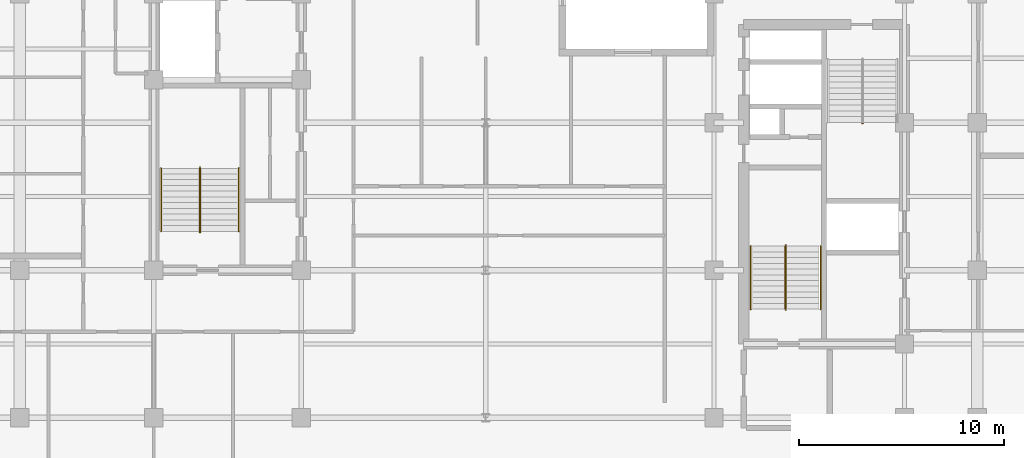
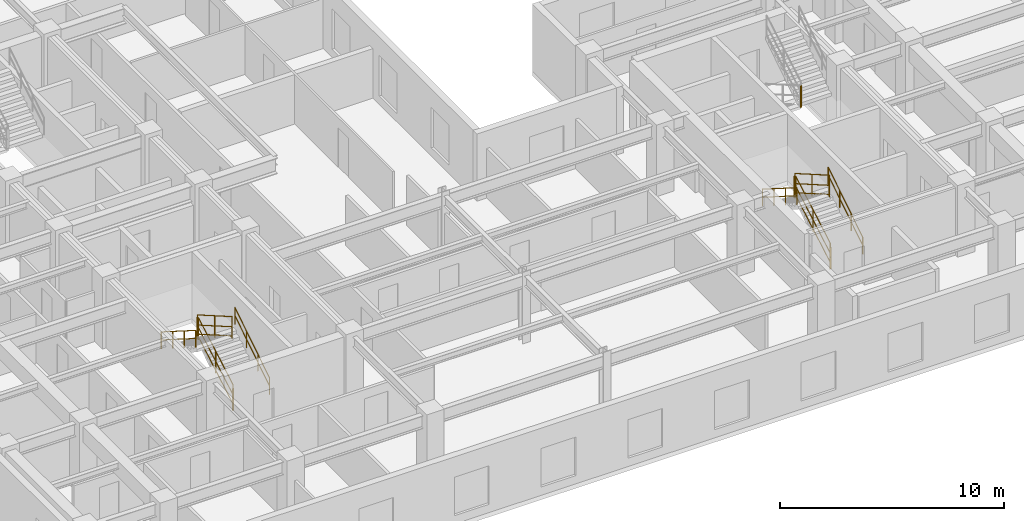
# One storey, part 9 of 11: 13 railings.
"""IFC4 building model written with IfcOpenShell, lengths in metres."""

from ifc_helpers import new_model, entity, si_unit, converted_unit, direction, frame, origin_with_axes, origin_2d_with_axis, place, context, subcontext, project, spatial, rectangle, circle, extrude, material, type_object, element, save


model = new_model("IFC4")

# Units and contexts
model_context = context("Model", 3, precision=1e-05, world=origin_with_axes(), true_north=direction((0.0, 1.0)))
body_context = subcontext(model_context, "Body", "Model", "MODEL_VIEW")
ifc_project = project(units=[si_unit("LENGTHUNIT", "METRE"), si_unit("AREAUNIT", "SQUARE_METRE"), si_unit("VOLUMEUNIT", "CUBIC_METRE"), converted_unit("PLANEANGLEUNIT", "DEGREE", entity("IfcPlaneAngleMeasure", 0.017453292519943295), si_unit("PLANEANGLEUNIT", "RADIAN"), dimensions=[0, 0, 0, 0, 0, 0, 0]), si_unit("MASSUNIT", "GRAM", prefix="KILO"), si_unit("THERMODYNAMICTEMPERATUREUNIT", "KELVIN")], contexts=[model_context])

# Site, building, storey
site_placement = place(None, origin_with_axes())
site = spatial("IfcSite", under=ifc_project, at=site_placement, CompositionType="ELEMENT")
building_placement = place(site_placement, origin_with_axes())
building = spatial("IfcBuilding", under=site, at=building_placement, Name="Varnlund Millrace Tower", CompositionType="ELEMENT")
storey_placement = place(building_placement, frame((0.0, 0.0, 212.1), z_axis=(0.0, 0.0, 1.0), x_axis=(1.0, 0.0, 0.0)))
storey = spatial("IfcBuildingStorey", under=building, at=storey_placement, Name="L52", CompositionType="ELEMENT", Elevation=212.1)

# Railings
ifc_material_1 = material(Name="Painted steel stair well balustrade guard", Category="steel")
railing_type_1 = type_object("IfcRailingType", Name="Type-StairGuard-1150", PredefinedType="GUARDRAIL", material=ifc_material_1)
railing_1_placement = place(storey_placement, frame((0.0, 0.0, -212.1), z_axis=(0.0, 0.0, 1.0), x_axis=(1.0, 0.0, 0.0)))
element("IfcRailing", 1, at=railing_1_placement, inside=storey, type_object=railing_type_1, Name="Type-StairGuard-1150", PredefinedType="GUARDRAIL", context=body_context, shape_type="SweptSolid", body=[
    extrude(circle(Radius=0.024, at=origin_2d_with_axis()), frame((13.675, 12.7, 213.427273), z_axis=(0.0, 0.866696, 0.498836), x_axis=(-1.0, 0.0, 0.0)), (0.0, 0.0, 1.0), 3.553725),
    extrude(circle(Radius=0.024, at=origin_2d_with_axis()), frame((13.675, 12.7, 212.377273), z_axis=(0.0, 0.866696, 0.498836), x_axis=(-1.0, 0.0, 0.0)), (0.0, 0.0, 1.0), 3.553725),
    extrude(circle(Radius=0.024, at=origin_2d_with_axis()), frame((13.675, 12.7, 212.875273), z_axis=(0.0, 0.866696, 0.498836), x_axis=(-1.0, 0.0, 0.0)), (0.0, 0.0, 1.0), 3.553725),
    extrude(rectangle(XDim=0.04, YDim=0.04, at=origin_2d_with_axis()), frame((13.675, 12.7, 212.237273), z_axis=(0.0, 0.0, 1.0), x_axis=(1.0, 0.0, 0.0)), (0.0, 0.0, 1.0), 1.19),
    extrude(rectangle(XDim=0.04, YDim=0.04, at=origin_2d_with_axis()), frame((13.675, 14.24, 213.123636), z_axis=(0.0, 0.0, 1.0), x_axis=(1.0, 0.0, 0.0)), (0.0, 0.0, 1.0), 1.19),
    extrude(rectangle(XDim=0.04, YDim=0.04, at=origin_2d_with_axis()), frame((13.675, 15.78, 214.01), z_axis=(0.0, 0.0, 1.0), x_axis=(1.0, 0.0, 0.0)), (0.0, 0.0, 1.0), 1.19),
])
railing_2_placement = place(storey_placement, frame((0.0, 0.0, -212.1), z_axis=(0.0, 0.0, 1.0), x_axis=(1.0, 0.0, 0.0)))
element("IfcRailing", 2, at=railing_2_placement, inside=storey, type_object=railing_type_1, Name="Type-StairGuard-1150", PredefinedType="GUARDRAIL", context=body_context, shape_type="SweptSolid", body=[
    extrude(circle(Radius=0.024, at=origin_2d_with_axis()), frame((13.625, 15.83, 215.2), z_axis=(1.0, 0.0, 0.0), x_axis=(0.0, 1.0, 0.0)), (0.0, 0.0, 1.0), 0.05),
    extrude(circle(Radius=0.024, at=origin_2d_with_axis()), frame((13.625, 15.83, 214.15), z_axis=(1.0, 0.0, 0.0), x_axis=(0.0, 1.0, 0.0)), (0.0, 0.0, 1.0), 0.05),
    extrude(circle(Radius=0.024, at=origin_2d_with_axis()), frame((13.625, 15.83, 214.648), z_axis=(1.0, 0.0, 0.0), x_axis=(0.0, 1.0, 0.0)), (0.0, 0.0, 1.0), 0.05),
    extrude(rectangle(XDim=0.04, YDim=0.04, at=origin_2d_with_axis()), frame((13.625, 15.83, 214.01), z_axis=(0.0, 0.0, 1.0), x_axis=(1.0, 0.0, 0.0)), (0.0, 0.0, 1.0), 1.19),
    extrude(rectangle(XDim=0.04, YDim=0.04, at=origin_2d_with_axis()), frame((13.675, 15.83, 214.01), z_axis=(0.0, 0.0, 1.0), x_axis=(1.0, 0.0, 0.0)), (0.0, 0.0, 1.0), 1.19),
])
railing_3_placement = place(storey_placement, frame((0.0, 0.0, -212.1), z_axis=(0.0, 0.0, 1.0), x_axis=(1.0, 0.0, 0.0)))
element("IfcRailing", 3, at=railing_3_placement, inside=storey, type_object=railing_type_1, Name="Type-StairGuard-1150", PredefinedType="GUARDRAIL", context=body_context, shape_type="SweptSolid", body=[
    extrude(circle(Radius=0.024, at=origin_2d_with_axis()), frame((13.625, 15.78, 215.377273), z_axis=(0.0, -0.866696, 0.498836), x_axis=(1.0, 0.0, 0.0)), (0.0, 0.0, 1.0), 3.553725),
    extrude(circle(Radius=0.024, at=origin_2d_with_axis()), frame((13.625, 15.78, 214.327273), z_axis=(0.0, -0.866696, 0.498836), x_axis=(1.0, 0.0, 0.0)), (0.0, 0.0, 1.0), 3.553725),
    extrude(circle(Radius=0.024, at=origin_2d_with_axis()), frame((13.625, 15.78, 214.825273), z_axis=(0.0, -0.866696, 0.498836), x_axis=(1.0, 0.0, 0.0)), (0.0, 0.0, 1.0), 3.553725),
    extrude(rectangle(XDim=0.04, YDim=0.04, at=origin_2d_with_axis()), frame((13.625, 15.78, 214.187273), z_axis=(0.0, 0.0, 1.0), x_axis=(1.0, 0.0, 0.0)), (0.0, 0.0, 1.0), 1.19),
    extrude(rectangle(XDim=0.04, YDim=0.04, at=origin_2d_with_axis()), frame((13.625, 14.24, 215.073636), z_axis=(0.0, 0.0, 1.0), x_axis=(1.0, 0.0, 0.0)), (0.0, 0.0, 1.0), 1.19),
    extrude(rectangle(XDim=0.04, YDim=0.04, at=origin_2d_with_axis()), frame((13.625, 12.7, 215.96), z_axis=(0.0, 0.0, 1.0), x_axis=(1.0, 0.0, 0.0)), (0.0, 0.0, 1.0), 1.19),
])
railing_4_placement = place(storey_placement, frame((0.0, 0.0, -212.1), z_axis=(0.0, 0.0, 1.0), x_axis=(1.0, 0.0, 0.0)))
element("IfcRailing", 4, at=railing_4_placement, inside=storey, type_object=railing_type_1, Name="Type-StairGuard-1150", PredefinedType="GUARDRAIL", context=body_context, shape_type="SweptSolid", body=[
    extrude(circle(Radius=0.024, at=origin_2d_with_axis()), frame((13.625, 12.65, 213.25), z_axis=(1.0, 0.0, 0.0), x_axis=(0.0, 1.0, 0.0)), (0.0, 0.0, 1.0), 0.05),
    extrude(circle(Radius=0.024, at=origin_2d_with_axis()), frame((13.625, 12.65, 212.2), z_axis=(1.0, 0.0, 0.0), x_axis=(0.0, 1.0, 0.0)), (0.0, 0.0, 1.0), 0.05),
    extrude(circle(Radius=0.024, at=origin_2d_with_axis()), frame((13.625, 12.65, 212.698), z_axis=(1.0, 0.0, 0.0), x_axis=(0.0, 1.0, 0.0)), (0.0, 0.0, 1.0), 0.05),
    extrude(rectangle(XDim=0.04, YDim=0.04, at=origin_2d_with_axis()), frame((13.625, 12.65, 212.06), z_axis=(0.0, 0.0, 1.0), x_axis=(1.0, 0.0, 0.0)), (0.0, 0.0, 1.0), 1.19),
    extrude(rectangle(XDim=0.04, YDim=0.04, at=origin_2d_with_axis()), frame((13.675, 12.65, 212.06), z_axis=(0.0, 0.0, 1.0), x_axis=(1.0, 0.0, 0.0)), (0.0, 0.0, 1.0), 1.19),
])
railing_5_placement = place(storey_placement, frame((0.0, 0.0, -212.1), z_axis=(0.0, 0.0, 1.0), x_axis=(1.0, 0.0, 0.0)))
element("IfcRailing", 5, at=railing_5_placement, inside=storey, type_object=railing_type_1, Name="Type-StairGuard-1150", PredefinedType="GUARDRAIL", context=body_context, shape_type="SweptSolid", body=[
    extrude(circle(Radius=0.024, at=origin_2d_with_axis()), frame((42.275, 8.9, 213.427273), z_axis=(0.0, 0.866696, 0.498836), x_axis=(-1.0, 0.0, 0.0)), (0.0, 0.0, 1.0), 3.553725),
    extrude(circle(Radius=0.024, at=origin_2d_with_axis()), frame((42.275, 8.9, 212.377273), z_axis=(0.0, 0.866696, 0.498836), x_axis=(-1.0, 0.0, 0.0)), (0.0, 0.0, 1.0), 3.553725),
    extrude(circle(Radius=0.024, at=origin_2d_with_axis()), frame((42.275, 8.9, 212.875273), z_axis=(0.0, 0.866696, 0.498836), x_axis=(-1.0, 0.0, 0.0)), (0.0, 0.0, 1.0), 3.553725),
    extrude(rectangle(XDim=0.04, YDim=0.04, at=origin_2d_with_axis()), frame((42.275, 8.9, 212.237273), z_axis=(0.0, 0.0, 1.0), x_axis=(1.0, 0.0, 0.0)), (0.0, 0.0, 1.0), 1.19),
    extrude(rectangle(XDim=0.04, YDim=0.04, at=origin_2d_with_axis()), frame((42.275, 10.44, 213.123636), z_axis=(0.0, 0.0, 1.0), x_axis=(1.0, 0.0, 0.0)), (0.0, 0.0, 1.0), 1.19),
    extrude(rectangle(XDim=0.04, YDim=0.04, at=origin_2d_with_axis()), frame((42.275, 11.98, 214.01), z_axis=(0.0, 0.0, 1.0), x_axis=(1.0, 0.0, 0.0)), (0.0, 0.0, 1.0), 1.19),
])
railing_6_placement = place(storey_placement, frame((0.0, 0.0, -212.1), z_axis=(0.0, 0.0, 1.0), x_axis=(1.0, 0.0, 0.0)))
element("IfcRailing", 6, at=railing_6_placement, inside=storey, type_object=railing_type_1, Name="Type-StairGuard-1150", PredefinedType="GUARDRAIL", context=body_context, shape_type="SweptSolid", body=[
    extrude(circle(Radius=0.024, at=origin_2d_with_axis()), frame((42.225, 12.03, 215.2), z_axis=(1.0, 0.0, 0.0), x_axis=(0.0, 1.0, 0.0)), (0.0, 0.0, 1.0), 0.05),
    extrude(circle(Radius=0.024, at=origin_2d_with_axis()), frame((42.225, 12.03, 214.15), z_axis=(1.0, 0.0, 0.0), x_axis=(0.0, 1.0, 0.0)), (0.0, 0.0, 1.0), 0.05),
    extrude(circle(Radius=0.024, at=origin_2d_with_axis()), frame((42.225, 12.03, 214.648), z_axis=(1.0, 0.0, 0.0), x_axis=(0.0, 1.0, 0.0)), (0.0, 0.0, 1.0), 0.05),
    extrude(rectangle(XDim=0.04, YDim=0.04, at=origin_2d_with_axis()), frame((42.225, 12.03, 214.01), z_axis=(0.0, 0.0, 1.0), x_axis=(1.0, 0.0, 0.0)), (0.0, 0.0, 1.0), 1.19),
    extrude(rectangle(XDim=0.04, YDim=0.04, at=origin_2d_with_axis()), frame((42.275, 12.03, 214.01), z_axis=(0.0, 0.0, 1.0), x_axis=(1.0, 0.0, 0.0)), (0.0, 0.0, 1.0), 1.19),
])
railing_7_placement = place(storey_placement, frame((0.0, 0.0, -212.1), z_axis=(0.0, 0.0, 1.0), x_axis=(1.0, 0.0, 0.0)))
element("IfcRailing", 7, at=railing_7_placement, inside=storey, type_object=railing_type_1, Name="Type-StairGuard-1150", PredefinedType="GUARDRAIL", context=body_context, shape_type="SweptSolid", body=[
    extrude(circle(Radius=0.024, at=origin_2d_with_axis()), frame((42.225, 11.98, 215.377273), z_axis=(0.0, -0.866696, 0.498836), x_axis=(1.0, 0.0, 0.0)), (0.0, 0.0, 1.0), 3.553725),
    extrude(circle(Radius=0.024, at=origin_2d_with_axis()), frame((42.225, 11.98, 214.327273), z_axis=(0.0, -0.866696, 0.498836), x_axis=(1.0, 0.0, 0.0)), (0.0, 0.0, 1.0), 3.553725),
    extrude(circle(Radius=0.024, at=origin_2d_with_axis()), frame((42.225, 11.98, 214.825273), z_axis=(0.0, -0.866696, 0.498836), x_axis=(1.0, 0.0, 0.0)), (0.0, 0.0, 1.0), 3.553725),
    extrude(rectangle(XDim=0.04, YDim=0.04, at=origin_2d_with_axis()), frame((42.225, 11.98, 214.187273), z_axis=(0.0, 0.0, 1.0), x_axis=(1.0, 0.0, 0.0)), (0.0, 0.0, 1.0), 1.19),
    extrude(rectangle(XDim=0.04, YDim=0.04, at=origin_2d_with_axis()), frame((42.225, 10.44, 215.073636), z_axis=(0.0, 0.0, 1.0), x_axis=(1.0, 0.0, 0.0)), (0.0, 0.0, 1.0), 1.19),
    extrude(rectangle(XDim=0.04, YDim=0.04, at=origin_2d_with_axis()), frame((42.225, 8.9, 215.96), z_axis=(0.0, 0.0, 1.0), x_axis=(1.0, 0.0, 0.0)), (0.0, 0.0, 1.0), 1.19),
])
railing_8_placement = place(storey_placement, frame((0.0, 0.0, -212.1), z_axis=(0.0, 0.0, 1.0), x_axis=(1.0, 0.0, 0.0)))
element("IfcRailing", 8, at=railing_8_placement, inside=storey, type_object=railing_type_1, Name="Type-StairGuard-1150", PredefinedType="GUARDRAIL", context=body_context, shape_type="SweptSolid", body=[
    extrude(circle(Radius=0.024, at=origin_2d_with_axis()), frame((42.225, 8.85, 213.25), z_axis=(1.0, 0.0, 0.0), x_axis=(0.0, 1.0, 0.0)), (0.0, 0.0, 1.0), 0.05),
    extrude(circle(Radius=0.024, at=origin_2d_with_axis()), frame((42.225, 8.85, 212.2), z_axis=(1.0, 0.0, 0.0), x_axis=(0.0, 1.0, 0.0)), (0.0, 0.0, 1.0), 0.05),
    extrude(circle(Radius=0.024, at=origin_2d_with_axis()), frame((42.225, 8.85, 212.698), z_axis=(1.0, 0.0, 0.0), x_axis=(0.0, 1.0, 0.0)), (0.0, 0.0, 1.0), 0.05),
    extrude(rectangle(XDim=0.04, YDim=0.04, at=origin_2d_with_axis()), frame((42.225, 8.85, 212.06), z_axis=(0.0, 0.0, 1.0), x_axis=(1.0, 0.0, 0.0)), (0.0, 0.0, 1.0), 1.19),
    extrude(rectangle(XDim=0.04, YDim=0.04, at=origin_2d_with_axis()), frame((42.275, 8.85, 212.06), z_axis=(0.0, 0.0, 1.0), x_axis=(1.0, 0.0, 0.0)), (0.0, 0.0, 1.0), 1.19),
])
railing_9_placement = place(storey_placement, frame((0.0, 0.0, -212.1), z_axis=(0.0, 0.0, 1.0), x_axis=(1.0, 0.0, 0.0)))
element("IfcRailing", 9, at=railing_9_placement, inside=storey, type_object=railing_type_1, Name="Type-StairGuard-1150", PredefinedType="GUARDRAIL", context=body_context, shape_type="SweptSolid", body=[
    extrude(circle(Radius=0.024, at=origin_2d_with_axis()), frame((46.025, 17.97, 215.2), z_axis=(-1.0, 0.0, 0.0), x_axis=(0.0, -1.0, 0.0)), (0.0, 0.0, 1.0), 0.05),
    extrude(circle(Radius=0.024, at=origin_2d_with_axis()), frame((46.025, 17.97, 214.15), z_axis=(-1.0, 0.0, 0.0), x_axis=(0.0, -1.0, 0.0)), (0.0, 0.0, 1.0), 0.05),
    extrude(circle(Radius=0.024, at=origin_2d_with_axis()), frame((46.025, 17.97, 214.648), z_axis=(-1.0, 0.0, 0.0), x_axis=(0.0, -1.0, 0.0)), (0.0, 0.0, 1.0), 0.05),
    extrude(rectangle(XDim=0.04, YDim=0.04, at=origin_2d_with_axis()), frame((46.025, 17.97, 214.01), z_axis=(0.0, 0.0, 1.0), x_axis=(1.0, 0.0, 0.0)), (0.0, 0.0, 1.0), 1.19),
    extrude(rectangle(XDim=0.04, YDim=0.04, at=origin_2d_with_axis()), frame((45.975, 17.97, 214.01), z_axis=(0.0, 0.0, 1.0), x_axis=(1.0, 0.0, 0.0)), (0.0, 0.0, 1.0), 1.19),
])
ifc_material_2 = material(Name="Brushed architectural bronze stair handrail", Category="aluminium")
railing_type_2 = type_object("IfcRailingType", Name="Type-StairHandrail-900", PredefinedType="HANDRAIL", material=ifc_material_2)
railing_10_placement = place(storey_placement, frame((0.0, 0.0, -212.1), z_axis=(0.0, 0.0, 1.0), x_axis=(1.0, 0.0, 0.0)))
element("IfcRailing", 10, at=railing_10_placement, inside=storey, type_object=railing_type_2, Name="Type-StairHandrail-900", PredefinedType="HANDRAIL", context=body_context, shape_type="SweptSolid", body=[
    extrude(circle(Radius=0.024, at=origin_2d_with_axis()), frame((15.55, 12.7, 213.156995), z_axis=(0.0, 0.844902, 0.534922), x_axis=(-1.0, 0.0, 0.0)), (0.0, 0.0, 1.0), 3.645394),
    extrude(circle(Radius=0.024, at=origin_2d_with_axis()), frame((15.55, 12.7, 212.717134), z_axis=(0.0, 0.844902, 0.534922), x_axis=(-1.0, 0.0, 0.0)), (0.0, 0.0, 1.0), 3.645394),
    extrude(rectangle(XDim=0.04, YDim=0.04, at=origin_2d_with_axis()), frame((15.55, 12.7, 212.237273), z_axis=(0.0, 0.0, 1.0), x_axis=(1.0, 0.0, 0.0)), (0.0, 0.0, 1.0), 0.919722),
    extrude(rectangle(XDim=0.04, YDim=0.04, at=origin_2d_with_axis()), frame((15.55, 13.726667, 212.887273), z_axis=(0.0, 0.0, 1.0), x_axis=(1.0, 0.0, 0.0)), (0.0, 0.0, 1.0), 0.919722),
    extrude(rectangle(XDim=0.04, YDim=0.04, at=origin_2d_with_axis()), frame((15.55, 14.753333, 213.537273), z_axis=(0.0, 0.0, 1.0), x_axis=(1.0, 0.0, 0.0)), (0.0, 0.0, 1.0), 0.919722),
    extrude(rectangle(XDim=0.04, YDim=0.04, at=origin_2d_with_axis()), frame((15.55, 15.78, 214.187273), z_axis=(0.0, 0.0, 1.0), x_axis=(1.0, 0.0, 0.0)), (0.0, 0.0, 1.0), 0.919722),
])
railing_11_placement = place(storey_placement, frame((0.0, 0.0, -212.1), z_axis=(0.0, 0.0, 1.0), x_axis=(1.0, 0.0, 0.0)))
element("IfcRailing", 11, at=railing_11_placement, inside=storey, type_object=railing_type_2, Name="Type-StairHandrail-900", PredefinedType="HANDRAIL", context=body_context, shape_type="SweptSolid", body=[
    extrude(circle(Radius=0.024, at=origin_2d_with_axis()), frame((11.75, 15.78, 215.106995), z_axis=(0.0, -0.844902, 0.534922), x_axis=(1.0, 0.0, 0.0)), (0.0, 0.0, 1.0), 3.645394),
    extrude(circle(Radius=0.024, at=origin_2d_with_axis()), frame((11.75, 15.78, 214.667134), z_axis=(0.0, -0.844902, 0.534922), x_axis=(1.0, 0.0, 0.0)), (0.0, 0.0, 1.0), 3.645394),
    extrude(rectangle(XDim=0.04, YDim=0.04, at=origin_2d_with_axis()), frame((11.75, 15.78, 214.187273), z_axis=(0.0, 0.0, 1.0), x_axis=(1.0, 0.0, 0.0)), (0.0, 0.0, 1.0), 0.919722),
    extrude(rectangle(XDim=0.04, YDim=0.04, at=origin_2d_with_axis()), frame((11.75, 14.753333, 214.837273), z_axis=(0.0, 0.0, 1.0), x_axis=(1.0, 0.0, 0.0)), (0.0, 0.0, 1.0), 0.919722),
    extrude(rectangle(XDim=0.04, YDim=0.04, at=origin_2d_with_axis()), frame((11.75, 13.726667, 215.487273), z_axis=(0.0, 0.0, 1.0), x_axis=(1.0, 0.0, 0.0)), (0.0, 0.0, 1.0), 0.919722),
    extrude(rectangle(XDim=0.04, YDim=0.04, at=origin_2d_with_axis()), frame((11.75, 12.7, 216.137273), z_axis=(0.0, 0.0, 1.0), x_axis=(1.0, 0.0, 0.0)), (0.0, 0.0, 1.0), 0.919722),
])
railing_12_placement = place(storey_placement, frame((0.0, 0.0, -212.1), z_axis=(0.0, 0.0, 1.0), x_axis=(1.0, 0.0, 0.0)))
element("IfcRailing", 12, at=railing_12_placement, inside=storey, type_object=railing_type_2, Name="Type-StairHandrail-900", PredefinedType="HANDRAIL", context=body_context, shape_type="SweptSolid", body=[
    extrude(circle(Radius=0.024, at=origin_2d_with_axis()), frame((43.95, 8.9, 213.156995), z_axis=(0.0, 0.844902, 0.534922), x_axis=(-1.0, 0.0, 0.0)), (0.0, 0.0, 1.0), 3.645394),
    extrude(circle(Radius=0.024, at=origin_2d_with_axis()), frame((43.95, 8.9, 212.717134), z_axis=(0.0, 0.844902, 0.534922), x_axis=(-1.0, 0.0, 0.0)), (0.0, 0.0, 1.0), 3.645394),
    extrude(rectangle(XDim=0.04, YDim=0.04, at=origin_2d_with_axis()), frame((43.95, 8.9, 212.237273), z_axis=(0.0, 0.0, 1.0), x_axis=(1.0, 0.0, 0.0)), (0.0, 0.0, 1.0), 0.919722),
    extrude(rectangle(XDim=0.04, YDim=0.04, at=origin_2d_with_axis()), frame((43.95, 9.926667, 212.887273), z_axis=(0.0, 0.0, 1.0), x_axis=(1.0, 0.0, 0.0)), (0.0, 0.0, 1.0), 0.919722),
    extrude(rectangle(XDim=0.04, YDim=0.04, at=origin_2d_with_axis()), frame((43.95, 10.953333, 213.537273), z_axis=(0.0, 0.0, 1.0), x_axis=(1.0, 0.0, 0.0)), (0.0, 0.0, 1.0), 0.919722),
    extrude(rectangle(XDim=0.04, YDim=0.04, at=origin_2d_with_axis()), frame((43.95, 11.98, 214.187273), z_axis=(0.0, 0.0, 1.0), x_axis=(1.0, 0.0, 0.0)), (0.0, 0.0, 1.0), 0.919722),
])
railing_13_placement = place(storey_placement, frame((0.0, 0.0, -212.1), z_axis=(0.0, 0.0, 1.0), x_axis=(1.0, 0.0, 0.0)))
element("IfcRailing", 13, at=railing_13_placement, inside=storey, type_object=railing_type_2, Name="Type-StairHandrail-900", PredefinedType="HANDRAIL", context=body_context, shape_type="SweptSolid", body=[
    extrude(circle(Radius=0.024, at=origin_2d_with_axis()), frame((40.55, 11.98, 215.106995), z_axis=(0.0, -0.844902, 0.534922), x_axis=(1.0, 0.0, 0.0)), (0.0, 0.0, 1.0), 3.645394),
    extrude(circle(Radius=0.024, at=origin_2d_with_axis()), frame((40.55, 11.98, 214.667134), z_axis=(0.0, -0.844902, 0.534922), x_axis=(1.0, 0.0, 0.0)), (0.0, 0.0, 1.0), 3.645394),
    extrude(rectangle(XDim=0.04, YDim=0.04, at=origin_2d_with_axis()), frame((40.55, 11.98, 214.187273), z_axis=(0.0, 0.0, 1.0), x_axis=(1.0, 0.0, 0.0)), (0.0, 0.0, 1.0), 0.919722),
    extrude(rectangle(XDim=0.04, YDim=0.04, at=origin_2d_with_axis()), frame((40.55, 10.953333, 214.837273), z_axis=(0.0, 0.0, 1.0), x_axis=(1.0, 0.0, 0.0)), (0.0, 0.0, 1.0), 0.919722),
    extrude(rectangle(XDim=0.04, YDim=0.04, at=origin_2d_with_axis()), frame((40.55, 9.926667, 215.487273), z_axis=(0.0, 0.0, 1.0), x_axis=(1.0, 0.0, 0.0)), (0.0, 0.0, 1.0), 0.919722),
    extrude(rectangle(XDim=0.04, YDim=0.04, at=origin_2d_with_axis()), frame((40.55, 8.9, 216.137273), z_axis=(0.0, 0.0, 1.0), x_axis=(1.0, 0.0, 0.0)), (0.0, 0.0, 1.0), 0.919722),
])

save(model, "model.ifc")
